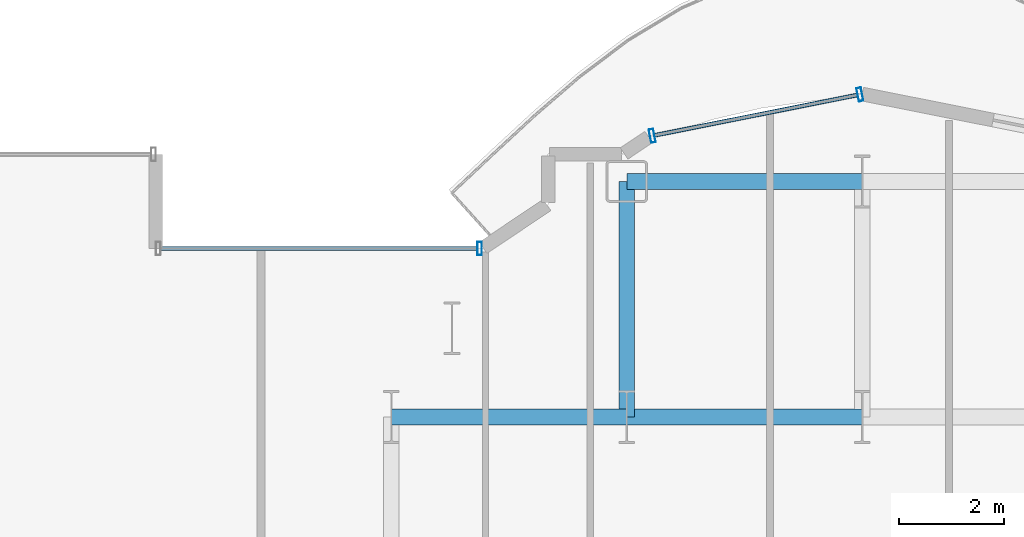
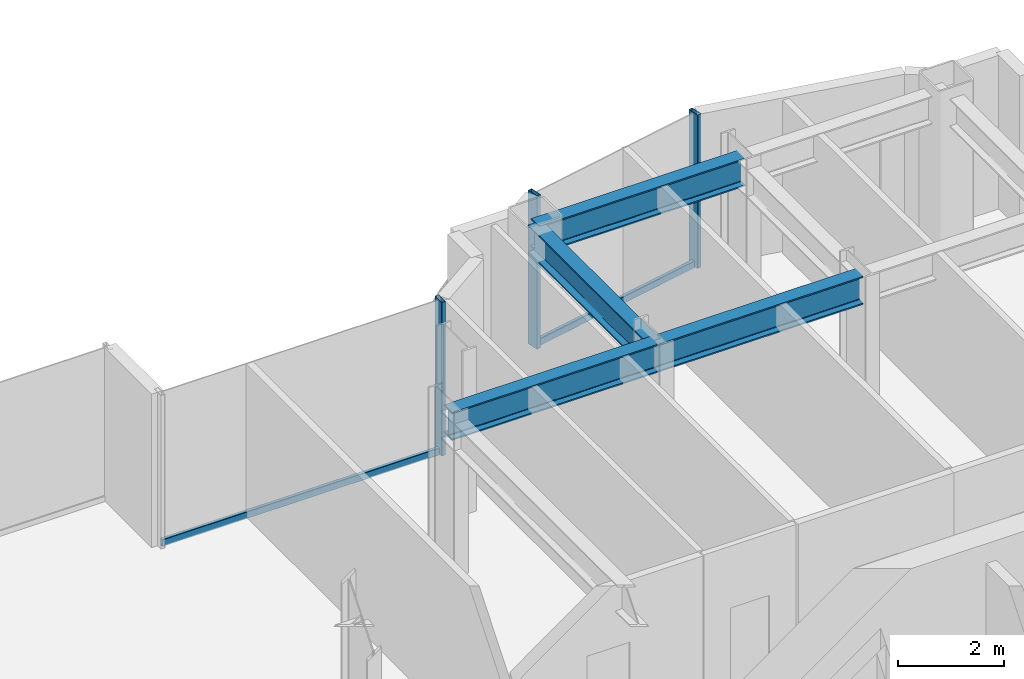
# One storey, part 13 of 29: 5 members, 4 beams, 2 elements without a shape of their own.
"""IFC4 building model written with IfcOpenShell, lengths in metres."""

from ifc_helpers import new_model, si_unit, direction, frame, origin, origin_2d, place, context, subcontext, project, spatial, hollow_rectangle, i_section, extrude, source, transform, mapped, material, layer, layer_set, material_profile, profile_set, type_object, element, aggregate, save


model = new_model("IFC4")

# Units and contexts
model_context = context("Model", 3, precision=1e-05, world=origin(), true_north=direction((0.0, 1.0)))
body_context = subcontext(model_context, "Body", "Model", "MODEL_VIEW")
ifc_project = project(units=[si_unit("LENGTHUNIT", "METRE"), si_unit("AREAUNIT", "SQUARE_METRE"), si_unit("VOLUMEUNIT", "CUBIC_METRE"), si_unit("PLANEANGLEUNIT", "RADIAN"), si_unit("MASSUNIT", "GRAM", prefix="KILO")], contexts=[model_context])

# Site, building, storey
site_placement = place(None, origin())
site = spatial("IfcSite", under=ifc_project, at=site_placement, CompositionType="ELEMENT")
building_placement = place(site_placement, origin())
building = spatial("IfcBuilding", under=site, at=building_placement, Name="Nefas-Gora Pilgrimage Tower", CompositionType="ELEMENT")
storey_placement = place(building_placement, frame((0.0, 0.0, 113.60009765625)))
storey = spatial("IfcBuildingStorey", under=building, at=storey_placement, Name="L27", CompositionType="ELEMENT", Elevation=113.60009765625)

# Beams
ifc_material_1 = material(Name="Steel S355", Category="steel")
ifc_material_profile_1 = material_profile(ifc_material_1, i_section(OverallWidth=0.300048828125, OverallDepth=0.64990234375, WebThickness=0.01611328125, FlangeThickness=0.031005859375, FilletRadius=0.027099609375, at=origin_2d()), Name="HEB 650")
ifc_profile_set_1 = profile_set([ifc_material_profile_1], Name="Steel S355")
beam_type = type_object("IfcBeamType", Name="BM-GIR-HEB650", PredefinedType="BEAM", material=ifc_profile_set_1)
shared_shape_1 = source(origin(), body_context, "Body", "SweptSolid", [
    extrude(i_section(OverallWidth=0.300048828125, OverallDepth=0.64990234375, WebThickness=0.01611328125, FlangeThickness=0.031005859375, FilletRadius=0.027099609375, at=origin_2d()), origin(), (0.0, 0.0, 1.0), 4.5),
])
for number, where, z_axis, x_axis, name in (
    (1, (-11.25, 18.0, 3.224853515625), (1.0, 0.0, 0.0), (0.0, 1.0, 0.0), "L27 G-03 beam"),
    (2, (-6.75, 18.0, 3.224853515625), (0.0, 1.0, 0.0), (-1.0, 0.0, 0.0), "L27 G-03 beam"),
    (3, (-6.75, 18.0, 3.224853515625), (1.0, 0.0, 0.0), (0.0, 1.0, 0.0), "L27 G-03 beam"),
    (4, (-6.75, 22.5, 3.224853515625), (1.0, 0.0, 0.0), (0.0, 1.0, 0.0), "L27 G-03 beam"),
):
    element("IfcBeam", number, at=place(storey_placement, frame(where, z_axis=z_axis, x_axis=x_axis)), inside=storey, type_object=beam_type, Name=name, PredefinedType="BEAM", context=body_context, shape_type="MappedRepresentation", body=[
        mapped(shared_shape_1, transform((0.0, 0.0, 0.0), x_axis=(1.0, 0.0, 0.0), y_axis=(0.0, 1.0, 0.0), z_axis=(0.0, 0.0, 1.0), scale=1.0)),
    ])

# Curtain wall, member
ifc_material_2 = material(Name="Dark ceramic-fritted solar-control aluminium-glass curtain wall", Category="aluminium")
ifc_layer = layer(ifc_material_2, 0.219970703125)
ifc_layer_set = layer_set([ifc_layer], Name="Dark ceramic-fritted solar-control aluminium-glass curtain wall")
curtain_wall_type = type_object("IfcCurtainWallType", Name="CW-SYS-5", PredefinedType="NOTDEFINED", material=ifc_layer_set)
curtain_wall_1_placement = place(storey_placement, origin())
curtain_wall_1 = element("IfcCurtainWall", 5, at=curtain_wall_1_placement, inside=storey, type_object=curtain_wall_type, Name="L27 Unitised Curtain Wall CW5", PredefinedType="NOTDEFINED")
ifc_material_3 = material(Name="Anodised architectural aluminium", Category="aluminium")
ifc_material_profile_2 = material_profile(ifc_material_3, hollow_rectangle(XDim=0.080078125, YDim=0.159912109375, WallThickness=0.00439453125, InnerFilletRadius=0.00439453125, OuterFilletRadius=0.009033203125, at=origin_2d()), Name="ALU TRANSOM 80x160")
ifc_profile_set_2 = profile_set([ifc_material_profile_2], Name="Anodised architectural aluminium")
member_type_1 = type_object("IfcMemberType", Name="CWM-TRN-5", PredefinedType="USERDEFINED", material=ifc_profile_set_2)
shared_shape_2 = source(origin(), body_context, "Body", "SweptSolid", [
    extrude(hollow_rectangle(XDim=0.080078125, YDim=0.159912109375, WallThickness=0.00439453125, InnerFilletRadius=0.00439453125, OuterFilletRadius=0.009033203125, at=origin_2d()), origin(), (0.0, 0.0, 1.0), 6.052001953125),
])
member_1_placement = place(storey_placement, frame((-9.60791015625, 21.219970703125, 0.0498046875), z_axis=(-1.0, 0.0, 0.0), x_axis=(0.0, -1.0, 0.0)))
member_1 = element("IfcMember", 6, at=member_1_placement, type_object=member_type_1, Name="CW5 Spandrel Transom", ObjectType="TRANSOM", PredefinedType="USERDEFINED", context=body_context, shape_type="MappedRepresentation", body=[
    mapped(shared_shape_2, transform((0.0, 0.0, 0.0), x_axis=(1.0, 0.0, 0.0), y_axis=(0.0, 1.0, 0.0), z_axis=(0.0, 0.0, 1.0), scale=1.0)),
])

# Curtain wall, members
curtain_wall_2_placement = place(storey_placement, origin())
curtain_wall_2 = element("IfcCurtainWall", 7, at=curtain_wall_2_placement, inside=storey, type_object=curtain_wall_type, Name="L27 Unitised Curtain Wall CW5", PredefinedType="NOTDEFINED")
shared_shape_3 = source(origin(), body_context, "Body", "SweptSolid", [
    extrude(hollow_rectangle(XDim=0.080078125, YDim=0.159912109375, WallThickness=0.00439453125, InnerFilletRadius=0.00439453125, OuterFilletRadius=0.009033203125, at=origin_2d()), origin(), (0.0, 0.0, 1.0), 3.95654296875),
])
member_2_placement = place(storey_placement, frame((-2.33837890625, 24.15478515625, 0.0498046875), z_axis=(-0.980781880918, -0.195107411605, 0.0), x_axis=(0.195107411605, -0.980781880918, 0.0)))
member_2 = element("IfcMember", 8, at=member_2_placement, type_object=member_type_1, Name="CW5 Spandrel Transom", ObjectType="TRANSOM", PredefinedType="USERDEFINED", context=body_context, shape_type="MappedRepresentation", body=[
    mapped(shared_shape_3, transform((0.0, 0.0, 0.0), x_axis=(1.0, 0.0, 0.0), y_axis=(0.0, 1.0, 0.0), z_axis=(0.0, 0.0, 1.0), scale=1.0)),
])
ifc_material_profile_3 = material_profile(ifc_material_3, hollow_rectangle(XDim=0.090087890625, YDim=0.260009765625, WallThickness=0.006103515625, InnerFilletRadius=0.006103515625, OuterFilletRadius=0.011962890625, at=origin_2d()), Name="ALU MULLION 90x260")
ifc_profile_set_3 = profile_set([ifc_material_profile_3], Name="Anodised architectural aluminium")
member_type_2 = type_object("IfcMemberType", Name="CWM-MUL-5", PredefinedType="MULLION", material=ifc_profile_set_3)
shared_shape_4 = source(origin(), body_context, "Body", "SweptSolid", [
    extrude(hollow_rectangle(XDim=0.090087890625, YDim=0.260009765625, WallThickness=0.006103515625, InnerFilletRadius=0.006103515625, OuterFilletRadius=0.011962890625, at=origin_2d()), origin(), (0.0, 0.0, 1.0), 3.5498046875),
])
member_3_placement = place(storey_placement, frame((-2.294189453125, 24.16357421875, 0.0), z_axis=(0.0, 0.0, 1.0), x_axis=(-0.980782896852, -0.195102304554, 0.0)))
member_3 = element("IfcMember", 9, at=member_3_placement, type_object=member_type_2, Name="CW5 Mullion 1", PredefinedType="MULLION", context=body_context, shape_type="MappedRepresentation", body=[
    mapped(shared_shape_4, transform((0.0, 0.0, 0.0), x_axis=(1.0, 0.0, 0.0), y_axis=(0.0, 1.0, 0.0), z_axis=(0.0, 0.0, 1.0), scale=1.0)),
])
member_4_placement = place(storey_placement, frame((-6.26318359375, 23.3740234375, 0.0), z_axis=(0.0, 0.0, 1.0), x_axis=(-0.980782896852, -0.195102304554, 0.0)))
member_4 = element("IfcMember", 10, at=member_4_placement, type_object=member_type_2, Name="CW5 Mullion 2", PredefinedType="MULLION", context=body_context, shape_type="MappedRepresentation", body=[
    mapped(shared_shape_4, transform((0.0, 0.0, 0.0), x_axis=(1.0, 0.0, 0.0), y_axis=(0.0, 1.0, 0.0), z_axis=(0.0, 0.0, 1.0), scale=1.0)),
])
aggregate(curtain_wall_2, [member_3, member_4, member_2])

# Member
member_5_placement = place(storey_placement, frame((-9.56298828125, 21.219970703125, 0.0), z_axis=(0.0, 0.0, 1.0), x_axis=(-1.0, 0.0, 0.0)))
member_5 = element("IfcMember", 11, at=member_5_placement, type_object=member_type_2, Name="CW5 Mullion 1", PredefinedType="MULLION", context=body_context, shape_type="MappedRepresentation", body=[
    mapped(shared_shape_4, transform((0.0, 0.0, 0.0), x_axis=(1.0, 0.0, 0.0), y_axis=(0.0, 1.0, 0.0), z_axis=(0.0, 0.0, 1.0), scale=1.0)),
])

aggregate(curtain_wall_1, [member_5, member_1])

save(model, "model.ifc")
